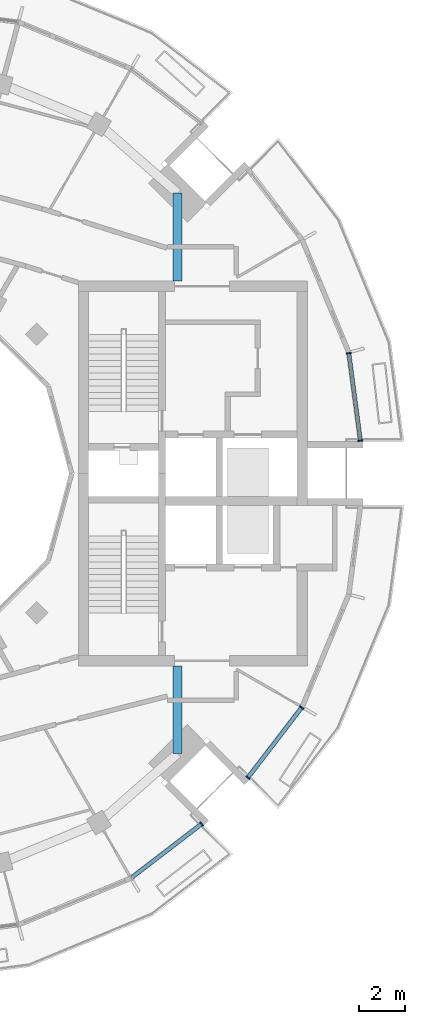
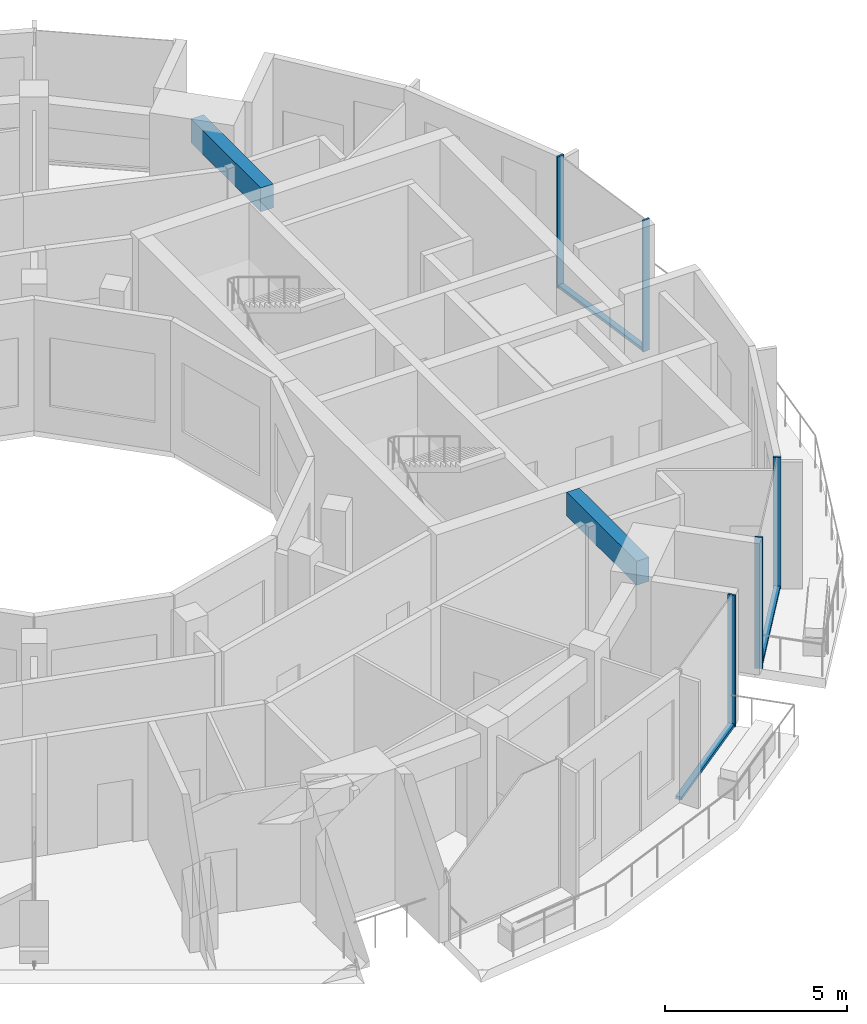
# One storey, part 4 of 15: 8 members, 2 beams, 3 elements without a shape of their own.
"""IFC4 building model written with IfcOpenShell, lengths in metres."""

from ifc_helpers import new_model, si_unit, direction, frame, origin, origin_2d, place, context, subcontext, project, spatial, rectangle, extrude, material, layer, layer_set, material_profile, profile_set, type_object, element, aggregate, save


model = new_model("IFC4")

# Units and contexts
model_context = context("Model", 3, precision=1e-05, world=origin(), true_north=direction((0.0, 1.0)))
body_context = subcontext(model_context, "Body", "Model", "MODEL_VIEW")
ifc_project = project(units=[si_unit("LENGTHUNIT", "METRE"), si_unit("AREAUNIT", "SQUARE_METRE"), si_unit("VOLUMEUNIT", "CUBIC_METRE"), si_unit("PLANEANGLEUNIT", "RADIAN"), si_unit("MASSUNIT", "GRAM", prefix="KILO")], contexts=[model_context])

# Site, building, storey
site_placement = place(None, origin())
site = spatial("IfcSite", under=ifc_project, at=site_placement, CompositionType="ELEMENT")
building_placement = place(site_placement, origin())
building = spatial("IfcBuilding", under=site, at=building_placement, Name="Torre Brocal", CompositionType="ELEMENT")
storey_placement = place(building_placement, frame((0.0, 0.0, 314.89990234375)))
storey = spatial("IfcBuildingStorey", under=building, at=storey_placement, Name="L72", CompositionType="ELEMENT", Elevation=314.89990234375)

# Curtain wall, members
ifc_material_1 = material(Name="Aluminium and glass", Category="aluminium")
ifc_layer = layer(ifc_material_1, 0.199951171875)
ifc_layer_set = layer_set([ifc_layer], Name="Aluminium and glass")
curtain_wall_type = type_object("IfcCurtainWallType", Name="CW-5 CURTAIN WALL 4400 HIGH", PredefinedType="NOTDEFINED", material=ifc_layer_set)
curtain_wall_1_placement = place(storey_placement, origin())
curtain_wall_1 = element("IfcCurtainWall", 1, at=curtain_wall_1_placement, inside=storey, type_object=curtain_wall_type, Name="CW-5 RUN 1", PredefinedType="NOTDEFINED")
ifc_material_2 = material(Name="Aluminium, dark anodised", Category="aluminium")
ifc_material_profile_1 = material_profile(ifc_material_2, rectangle(XDim=0.219970703125, YDim=0.06005859375, at=origin_2d()), Name="CW-5 MULLION 60X220")
ifc_profile_set_1 = profile_set([ifc_material_profile_1], Name="Aluminium, dark anodised")
member_type_1 = type_object("IfcMemberType", Name="CW-5 MULLION 60X220", PredefinedType="MULLION", material=ifc_profile_set_1)
member_1_placement = place(storey_placement, frame((100.2109375, 76.4296875, 0.0), z_axis=(0.0, 0.0, 1.0), x_axis=(-0.991444861394, -0.130526192064, 0.0)))
member_1 = element("IfcMember", 2, at=member_1_placement, type_object=member_type_1, Name="CW5-1 mullion 1", PredefinedType="MULLION", context=body_context, shape_type="SweptSolid", body=[
    extrude(rectangle(XDim=0.219970703125, YDim=0.06005859375, at=origin_2d()), origin(), (0.0, 0.0, 1.0), 4.400146484375),
])
member_2_placement = place(storey_placement, frame((99.7080078125, 80.25, 0.0), z_axis=(0.0, 0.0, 1.0), x_axis=(-0.991444861394, -0.130526192064, 0.0)))
member_2 = element("IfcMember", 3, at=member_2_placement, type_object=member_type_1, Name="CW5-1 mullion 2", PredefinedType="MULLION", context=body_context, shape_type="SweptSolid", body=[
    extrude(rectangle(XDim=0.219970703125, YDim=0.06005859375, at=origin_2d()), origin(), (0.0, 0.0, 1.0), 4.400146484375),
])

# Curtain wall, member
curtain_wall_2_placement = place(storey_placement, origin())
curtain_wall_2 = element("IfcCurtainWall", 4, at=curtain_wall_2_placement, inside=storey, type_object=curtain_wall_type, Name="CW-5 RUN 21", PredefinedType="NOTDEFINED")
member_3_placement = place(storey_placement, frame((93.2802734375, 59.69775390625, 0.0), z_axis=(0.0, 0.0, 1.0), x_axis=(-0.608761428898, 0.793353340376, 0.0)))
member_3 = element("IfcMember", 5, at=member_3_placement, type_object=member_type_1, Name="CW5-1 mullion 2", PredefinedType="MULLION", context=body_context, shape_type="SweptSolid", body=[
    extrude(rectangle(XDim=0.219970703125, YDim=0.06005859375, at=origin_2d()), origin(), (0.0, 0.0, 1.0), 4.400146484375),
])

# Curtain wall, members
curtain_wall_3_placement = place(storey_placement, origin())
curtain_wall_3 = element("IfcCurtainWall", 6, at=curtain_wall_3_placement, inside=storey, type_object=curtain_wall_type, Name="CW-5 RUN 22", PredefinedType="NOTDEFINED")
member_4_placement = place(storey_placement, frame((95.30224609375, 61.7197265625, 0.0), z_axis=(0.0, 0.0, 1.0), x_axis=(-0.793353340376, 0.608761428898, 0.0)))
member_4 = element("IfcMember", 7, at=member_4_placement, type_object=member_type_1, Name="CW5-1 mullion 1", PredefinedType="MULLION", context=body_context, shape_type="SweptSolid", body=[
    extrude(rectangle(XDim=0.219970703125, YDim=0.06005859375, at=origin_2d()), origin(), (0.0, 0.0, 1.0), 4.400146484375),
])
member_5_placement = place(storey_placement, frame((97.64794921875, 64.776611328125, 0.0), z_axis=(0.0, 0.0, 1.0), x_axis=(-0.793353340376, 0.608761428898, 0.0)))
member_5 = element("IfcMember", 8, at=member_5_placement, type_object=member_type_1, Name="CW5-1 mullion 2", PredefinedType="MULLION", context=body_context, shape_type="SweptSolid", body=[
    extrude(rectangle(XDim=0.219970703125, YDim=0.06005859375, at=origin_2d()), origin(), (0.0, 0.0, 1.0), 4.400146484375),
])

# Member
ifc_material_3 = material(Name="Aluminium, dark anodised", Category="aluminium")
ifc_material_profile_2 = material_profile(ifc_material_3, rectangle(XDim=0.179931640625, YDim=0.10009765625, at=origin_2d()), Name="CW-5 TRANSOM 180X100")
ifc_profile_set_2 = profile_set([ifc_material_profile_2], Name="Aluminium, dark anodised")
member_type_2 = type_object("IfcMemberType", Name="CW-5 TRANSOM 180X100", PredefinedType="USERDEFINED", material=ifc_profile_set_2)
member_6_placement = place(storey_placement, frame((100.20703125, 76.45947265625, 0.050048828125), z_axis=(-0.130527769268, 0.99144465375, 0.0), x_axis=(-0.99144465375, -0.130527769268, 0.0)))
member_6 = element("IfcMember", 9, at=member_6_placement, type_object=member_type_2, Name="CW5-1 transom 1.1", ObjectType="TRANSOM", PredefinedType="USERDEFINED", context=body_context, shape_type="SweptSolid", body=[
    extrude(rectangle(XDim=0.179931640625, YDim=0.10009765625, at=origin_2d()), origin(), (0.0, 0.0, 1.0), 3.793212890625),
])

aggregate(curtain_wall_1, [member_1, member_2, member_6])

member_7_placement = place(storey_placement, frame((90.2470703125, 57.370361328125, 0.050048828125), z_axis=(0.793379443335, 0.60872740935, 0.0), x_axis=(-0.60872740935, 0.793379443335, 0.0)))
member_7 = element("IfcMember", 10, at=member_7_placement, type_object=member_type_2, Name="CW5-1 transom 1.1", ObjectType="TRANSOM", PredefinedType="USERDEFINED", context=body_context, shape_type="SweptSolid", body=[
    extrude(rectangle(XDim=0.179931640625, YDim=0.10009765625, at=origin_2d()), origin(), (0.0, 0.0, 1.0), 3.793212890625),
])

aggregate(curtain_wall_2, [member_3, member_7])

member_8_placement = place(storey_placement, frame((95.320556640625, 61.743408203125, 0.050048828125), z_axis=(0.60872740935, 0.793379443335, 0.0), x_axis=(-0.793379443335, 0.60872740935, 0.0)))
member_8 = element("IfcMember", 11, at=member_8_placement, type_object=member_type_2, Name="CW5-1 transom 1.1", ObjectType="TRANSOM", PredefinedType="USERDEFINED", context=body_context, shape_type="SweptSolid", body=[
    extrude(rectangle(XDim=0.179931640625, YDim=0.10009765625, at=origin_2d()), origin(), (0.0, 0.0, 1.0), 3.793212890625),
])

aggregate(curtain_wall_3, [member_4, member_5, member_8])

# Beams
ifc_material_4 = material(Name="Concrete C50", Category="concrete")
ifc_material_profile_3 = material_profile(ifc_material_4, rectangle(XDim=0.39990234375, YDim=0.800048828125, at=origin_2d()), Name="RC 400X800")
ifc_profile_set_3 = profile_set([ifc_material_profile_3], Name="Concrete C50")
beam_type = type_object("IfcBeamType", Name="RC SPANDREL BEAM 400X800 C50 TOP 4080", PredefinedType="SPANDREL", material=ifc_profile_set_3)
for number, where, z_axis, x_axis, name in (
    (12, (92.23291015625, 62.76708984375, 3.68017578125), (0.0, 1.0, 0.0), (-1.0, 0.0, 0.0), "Beam BT-50"),
    (13, (92.23291015625, 87.23291015625, 3.68017578125), (0.0, -1.0, 0.0), (1.0, 0.0, 0.0), "Beam BT-50"),
):
    element("IfcBeam", number, at=place(storey_placement, frame(where, z_axis=z_axis, x_axis=x_axis)), inside=storey, type_object=beam_type, Name=name, PredefinedType="SPANDREL", context=body_context, shape_type="SweptSolid", body=[
        extrude(rectangle(XDim=0.39990234375, YDim=0.800048828125, at=origin_2d()), origin(), (0.0, 0.0, 1.0), 3.8330078125),
    ])

save(model, "model.ifc")
